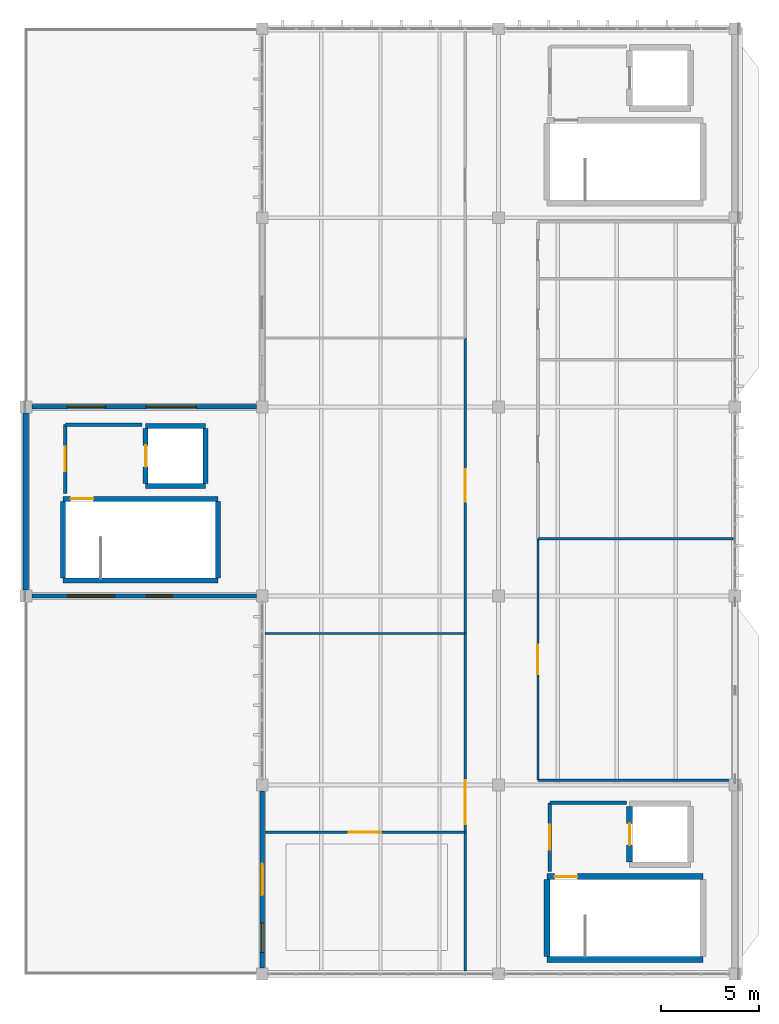
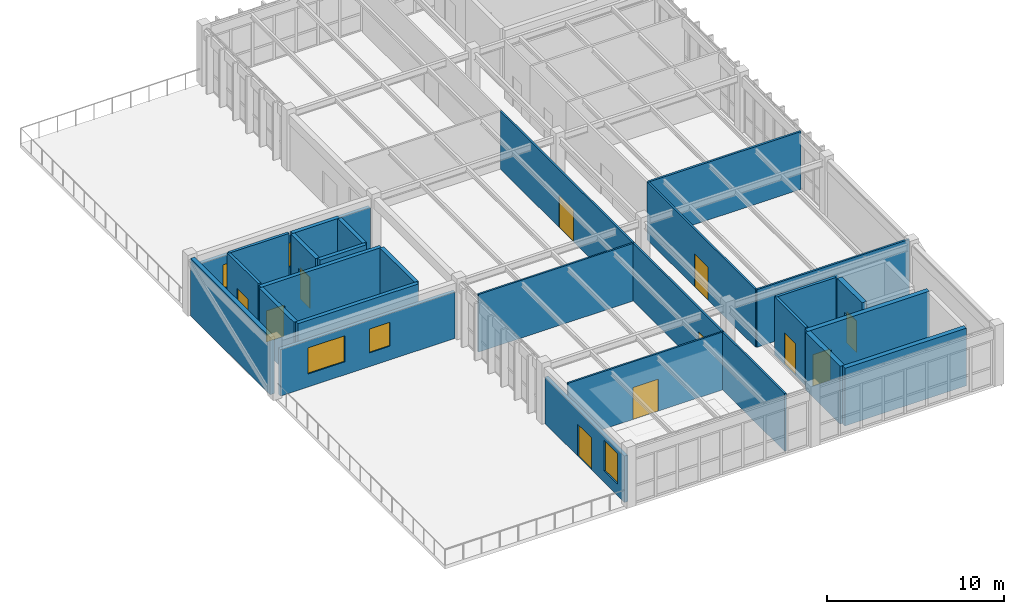
# One storey, part 26 of 28: 27 walls, 11 doors, 5 windows, 16 openings.
"""IFC4 building model written with IfcOpenShell, lengths in metres."""

from ifc_helpers import new_model, si_unit, direction, frame, frame_2d, origin, place, context, subcontext, project, spatial, rectangle, extrude, material, layer, layer_set, type_object, element, fill, save


model = new_model("IFC4")

# Units and contexts
model_context = context("Model", 3, precision=1e-05, world=origin(), true_north=direction((0.0, 1.0)))
body_context = subcontext(model_context, "Body", "Model", "MODEL_VIEW")
ifc_project = project(units=[si_unit("LENGTHUNIT", "METRE"), si_unit("AREAUNIT", "SQUARE_METRE"), si_unit("VOLUMEUNIT", "CUBIC_METRE"), si_unit("PLANEANGLEUNIT", "RADIAN"), si_unit("MASSUNIT", "GRAM", prefix="KILO")], contexts=[model_context])

# Site, building, storey
site_placement = place(None, origin())
site = spatial("IfcSite", under=ifc_project, at=site_placement, CompositionType="ELEMENT")
building_placement = place(site_placement, origin())
building = spatial("IfcBuilding", under=site, at=building_placement, Name="Pandanus Reach Market Hall", CompositionType="ELEMENT")
storey_placement = place(building_placement, frame((0.0, 0.0, 18.60009765625)))
storey = spatial("IfcBuildingStorey", under=building, at=storey_placement, Name="L04", CompositionType="ELEMENT", Elevation=18.60009765625)

# Wall
ifc_material_1 = material(Name="Concrete N40 (40 MPa)", Category="concrete")
ifc_layer_1 = layer(ifc_material_1, 0.25, Name="WL-CORE-250")
ifc_layer_set_1 = layer_set([ifc_layer_1], Name="Concrete N40 (40 MPa)")
wall_type_1 = type_object("IfcWallType", Name="WL-CORE-250", PredefinedType="SHEAR", material=ifc_layer_set_1)
wall_1_placement = place(storey_placement, frame((145.875, 48.77490234375, 0.0), z_axis=(0.0, 0.0, 1.0), x_axis=(1.0, 0.0, 0.0)))
element("IfcWall", 1, at=wall_1_placement, inside=storey, type_object=wall_type_1, Name="Internal wall WL-CORE-250 WL-0320", PredefinedType="SHEAR", context=body_context, shape_type="SweptSolid", body=[
    extrude(rectangle(XDim=7.8701171875, YDim=0.25, at=frame_2d((3.93505859375, 0.0))), origin(), (0.0, 0.0, 1.0), 3.97998046875),
])

# Wall, opening, door
wall_2_placement = place(storey_placement, frame((145.875, 52.925048828125, 0.0), z_axis=(0.0, 0.0, 1.0), x_axis=(1.0, 0.0, 0.0)))
wall_2 = element("IfcWall", 2, at=wall_2_placement, inside=storey, type_object=wall_type_1, Name="Internal wall WL-CORE-250 WL-0321", PredefinedType="SHEAR", context=body_context, shape_type="SweptSolid", body=[
    extrude(rectangle(XDim=7.8701171875, YDim=0.25, at=frame_2d((3.93505859375, 0.0))), origin(), (0.0, 0.0, 1.0), 3.97998046875),
])
opening_1_placement = place(wall_2_placement, frame((0.39990234375, 0.0, 0.0)))
opening_1 = element("IfcOpeningElement", 3, at=opening_1_placement, cuts=wall_2, Name="Opening DR-FD1", PredefinedType="OPENING", context=body_context, shape_type="SweptSolid", body=[
    extrude(rectangle(XDim=1.14990234375, YDim=2.14990234375, at=frame_2d((0.574951171875, 1.074951171875))), frame((0.0, 0.139892578125, 0.0), z_axis=(0.0, -1.0, 0.0), x_axis=(1.0, 0.0, 0.0)), (0.0, 0.0, 1.0), 0.280029296875),
])
ifc_material_2 = material(Name="Fire-rated steel door", Category="steel")
door_type_1 = type_object("IfcDoorType", Name="DR-FD1", OperationType="NOTDEFINED", PredefinedType="DOOR", material=ifc_material_2)
door_1_placement = place(opening_1_placement, frame((1.14990234375, 0.0, 0.0), z_axis=(0.0, 0.0, 1.0), x_axis=(-1.0, 0.0, 0.0)))
door_1 = element("IfcDoor", 4, at=door_1_placement, inside=storey, type_object=door_type_1, Name="Fire stair door ST-03 L04", OperationType="SINGLE_SWING_LEFT", OverallHeight=2.14990234375, OverallWidth=1.14990234375, PredefinedType="DOOR", context=body_context, shape_type="SweptSolid", body=[
    extrude(rectangle(XDim=1.14990234375, YDim=2.14990234375, at=frame_2d((0.574951171875, 1.074951171875))), frame((0.0, 0.02490234375, 0.0), z_axis=(0.0, -1.0, 0.0), x_axis=(1.0, 0.0, 0.0)), (0.0, 0.0, 1.0), 0.050048828125),
])
fill(opening_1, door_1)

# Walls
for number, where, z_axis, x_axis, name in (
    (5, (145.875, 48.89990234375, 0.0), (0.0, 0.0, 1.0), (0.0, 1.0, 0.0), "Internal wall WL-CORE-250 WL-0322"),
    (6, (153.7451171875, 48.89990234375, 0.0), (0.0, 0.0, 1.0), (0.0, 1.0, 0.0), "Internal wall WL-CORE-250 WL-0323"),
):
    element("IfcWall", number, at=place(storey_placement, frame(where, z_axis=z_axis, x_axis=x_axis)), inside=storey, type_object=wall_type_1, Name=name, PredefinedType="SHEAR", context=body_context, shape_type="SweptSolid", body=[
        extrude(rectangle(XDim=3.900146484375, YDim=0.25, at=frame_2d((1.9501953125, 0.0))), origin(), (0.0, 0.0, 1.0), 3.97998046875),
    ])
for number, where, z_axis, x_axis, name in (
    (7, (150.074951171875, 53.574951171875, 0.0), (0.0, 0.0, 1.0), (1.0, 0.0, 0.0), "Internal wall WL-CORE-250 WL-0324"),
    (8, (150.074951171875, 56.625, 0.0), (0.0, 0.0, 1.0), (1.0, 0.0, 0.0), "Internal wall WL-CORE-250 WL-0325"),
):
    element("IfcWall", number, at=place(storey_placement, frame(where, z_axis=z_axis, x_axis=x_axis)), inside=storey, type_object=wall_type_1, Name=name, PredefinedType="SHEAR", context=body_context, shape_type="SweptSolid", body=[
        extrude(rectangle(XDim=3.050048828125, YDim=0.25, at=frame_2d((1.52490234375, 0.0))), origin(), (0.0, 0.0, 1.0), 3.97998046875),
    ])
wall_3_placement = place(storey_placement, frame((153.125, 53.699951171875, 0.0), z_axis=(0.0, 0.0, 1.0), x_axis=(0.0, 1.0, 0.0)))
element("IfcWall", 9, at=wall_3_placement, inside=storey, type_object=wall_type_1, Name="Internal wall WL-CORE-250 WL-0326", PredefinedType="SHEAR", context=body_context, shape_type="SweptSolid", body=[
    extrude(rectangle(XDim=2.800048828125, YDim=0.25, at=frame_2d((1.39990234375, 0.0))), origin(), (0.0, 0.0, 1.0), 3.97998046875),
])

# Wall, opening, door
wall_4_placement = place(storey_placement, frame((150.074951171875, 53.699951171875, 0.0), z_axis=(0.0, 0.0, 1.0), x_axis=(0.0, 1.0, 0.0)))
wall_4 = element("IfcWall", 10, at=wall_4_placement, inside=storey, type_object=wall_type_1, Name="Internal wall WL-CORE-250 WL-0327", PredefinedType="SHEAR", context=body_context, shape_type="SweptSolid", body=[
    extrude(rectangle(XDim=2.800048828125, YDim=0.25, at=frame_2d((1.39990234375, 0.0))), origin(), (0.0, 0.0, 1.0), 3.97998046875),
])
opening_2_placement = place(wall_4_placement, frame((0.85009765625, 0.0, 0.0)))
opening_2 = element("IfcOpeningElement", 11, at=opening_2_placement, cuts=wall_4, Name="Opening LD-01", PredefinedType="OPENING", context=body_context, shape_type="SweptSolid", body=[
    extrude(rectangle(XDim=1.10009765625, YDim=2.14990234375, at=frame_2d((0.550048828125, 1.074951171875))), frame((0.0, 0.139892578125, 0.0), z_axis=(0.0, -1.0, 0.0), x_axis=(1.0, 0.0, 0.0)), (0.0, 0.0, 1.0), 0.280029296875),
])
ifc_material_3 = material(Name="Stainless steel lift landing door", Category="steel")
door_type_2 = type_object("IfcDoorType", Name="LD-01", OperationType="SLIDING_TO_LEFT", PredefinedType="DOOR", material=ifc_material_3)
door_2_placement = place(opening_2_placement, origin())
door_2 = element("IfcDoor", 12, at=door_2_placement, inside=storey, type_object=door_type_2, Name="Lift landing door LF-03 LD-01 54", OperationType="SLIDING_TO_LEFT", OverallHeight=2.14990234375, OverallWidth=1.10009765625, PredefinedType="DOOR", context=body_context, shape_type="SweptSolid", body=[
    extrude(rectangle(XDim=1.10009765625, YDim=2.14990234375, at=frame_2d((0.550048828125, 1.074951171875))), frame((0.0, 0.02490234375, 0.0), z_axis=(0.0, -1.0, 0.0), x_axis=(1.0, 0.0, 0.0)), (0.0, 0.0, 1.0), 0.050048828125),
])
fill(opening_2, door_2)

# Wall
ifc_layer_2 = layer(ifc_material_1, 0.300048828125, Name="WL-CORE-300")
ifc_layer_set_2 = layer_set([ifc_layer_2], Name="Concrete N40 (40 MPa)")
wall_type_2 = type_object("IfcWallType", Name="WL-CORE-300", PredefinedType="SHEAR", material=ifc_layer_set_2)
wall_5_placement = place(storey_placement, frame((170.449951171875, 29.550048828125, 0.0), z_axis=(0.0, 0.0, 1.0), x_axis=(1.0, 0.0, 0.0)))
element("IfcWall", 13, at=wall_5_placement, inside=storey, type_object=wall_type_2, Name="Internal wall WL-CORE-300 WL-0200", PredefinedType="SHEAR", context=body_context, shape_type="SweptSolid", body=[
    extrude(rectangle(XDim=7.920166015625, YDim=0.300048828125, at=frame_2d((3.9599609375, 0.0))), origin(), (0.0, 0.0, 1.0), 3.97998046875),
])

# Wall, opening, door
wall_6_placement = place(storey_placement, frame((170.449951171875, 33.75, 0.0), z_axis=(0.0, 0.0, 1.0), x_axis=(1.0, 0.0, 0.0)))
wall_6 = element("IfcWall", 14, at=wall_6_placement, inside=storey, type_object=wall_type_2, Name="Internal wall WL-CORE-300 WL-0201", PredefinedType="SHEAR", context=body_context, shape_type="SweptSolid", body=[
    extrude(rectangle(XDim=7.920166015625, YDim=0.300048828125, at=frame_2d((3.9599609375, 0.0))), origin(), (0.0, 0.0, 1.0), 3.97998046875),
])
opening_3_placement = place(wall_6_placement, frame((0.39990234375, 0.0, 0.0)))
opening_3 = element("IfcOpeningElement", 15, at=opening_3_placement, cuts=wall_6, Name="Opening DR-FD1", PredefinedType="OPENING", context=body_context, shape_type="SweptSolid", body=[
    extrude(rectangle(XDim=1.14990234375, YDim=2.14990234375, at=frame_2d((0.574951171875, 1.074951171875))), frame((0.0, 0.1650390625, 0.0), z_axis=(0.0, -1.0, 0.0), x_axis=(1.0, 0.0, 0.0)), (0.0, 0.0, 1.0), 0.330078125),
])
door_3_placement = place(opening_3_placement, frame((1.14990234375, 0.0, 0.0), z_axis=(0.0, 0.0, 1.0), x_axis=(-1.0, 0.0, 0.0)))
door_3 = element("IfcDoor", 16, at=door_3_placement, inside=storey, type_object=door_type_1, Name="Fire stair door ST-01 L04", OperationType="SINGLE_SWING_LEFT", OverallHeight=2.14990234375, OverallWidth=1.14990234375, PredefinedType="DOOR", context=body_context, shape_type="SweptSolid", body=[
    extrude(rectangle(XDim=1.14990234375, YDim=2.14990234375, at=frame_2d((0.574951171875, 1.074951171875))), frame((0.0, 0.02490234375, 0.0), z_axis=(0.0, -1.0, 0.0), x_axis=(1.0, 0.0, 0.0)), (0.0, 0.0, 1.0), 0.050048828125),
])
fill(opening_3, door_3)

# Wall
wall_7_placement = place(storey_placement, frame((170.449951171875, 29.699951171875, 0.0), z_axis=(0.0, 0.0, 1.0), x_axis=(0.0, 1.0, 0.0)))
element("IfcWall", 17, at=wall_7_placement, inside=storey, type_object=wall_type_2, Name="Internal wall WL-CORE-300 WL-0202", PredefinedType="SHEAR", context=body_context, shape_type="SweptSolid", body=[
    extrude(rectangle(XDim=3.900146484375, YDim=0.300048828125, at=frame_2d((1.9501953125, 0.0))), origin(), (0.0, 0.0, 1.0), 3.97998046875),
])

# Wall, opening, door
wall_8_placement = place(storey_placement, frame((174.64990234375, 34.5, 0.0), z_axis=(0.0, 0.0, 1.0), x_axis=(0.0, 1.0, 0.0)))
wall_8 = element("IfcWall", 18, at=wall_8_placement, inside=storey, type_object=wall_type_2, Name="Internal wall WL-CORE-300 WL-0207", PredefinedType="SHEAR", context=body_context, shape_type="SweptSolid", body=[
    extrude(rectangle(XDim=2.800048828125, YDim=0.300048828125, at=frame_2d((1.39990234375, 0.0))), origin(), (0.0, 0.0, 1.0), 3.97998046875),
])
opening_4_placement = place(wall_8_placement, frame((0.85009765625, 0.0, 0.0)))
opening_4 = element("IfcOpeningElement", 19, at=opening_4_placement, cuts=wall_8, Name="Opening LD-01", PredefinedType="OPENING", context=body_context, shape_type="SweptSolid", body=[
    extrude(rectangle(XDim=1.10009765625, YDim=2.14990234375, at=frame_2d((0.550048828125, 1.074951171875))), frame((0.0, 0.1650390625, 0.0), z_axis=(0.0, -1.0, 0.0), x_axis=(1.0, 0.0, 0.0)), (0.0, 0.0, 1.0), 0.330078125),
])
door_4_placement = place(opening_4_placement, origin())
door_4 = element("IfcDoor", 20, at=door_4_placement, inside=storey, type_object=door_type_2, Name="Lift landing door LF-01 LD-01 18", OperationType="SLIDING_TO_LEFT", OverallHeight=2.14990234375, OverallWidth=1.10009765625, PredefinedType="DOOR", context=body_context, shape_type="SweptSolid", body=[
    extrude(rectangle(XDim=1.10009765625, YDim=2.14990234375, at=frame_2d((0.550048828125, 1.074951171875))), frame((0.0, 0.02490234375, 0.0), z_axis=(0.0, -1.0, 0.0), x_axis=(1.0, 0.0, 0.0)), (0.0, 0.0, 1.0), 0.050048828125),
])
fill(opening_4, door_4)

# Wall, openings, door, window
ifc_material_4 = material(Name="Precast concrete S50 (50 MPa)", Category="concrete")
ifc_layer_3 = layer(ifc_material_4, 0.219970703125, Name="WL-EXT-220")
ifc_layer_set_3 = layer_set([ifc_layer_3], Name="Precast concrete S50 (50 MPa)")
wall_type_3 = type_object("IfcWallType", Name="WL-EXT-220", PredefinedType="SOLIDWALL", material=ifc_layer_set_3)
wall_9_placement = place(storey_placement, frame((156.0, 29.10009765625, 0.0), z_axis=(0.0, 0.0, 1.0), x_axis=(0.0, 1.0, 0.0)))
wall_9 = element("IfcWall", 21, at=wall_9_placement, inside=storey, type_object=wall_type_3, Name="External wall WL-EXT-220 WL-0112", PredefinedType="SOLIDWALL", context=body_context, shape_type="SweptSolid", body=[
    extrude(rectangle(XDim=9.0, YDim=0.219970703125, at=frame_2d((4.5, 0.0))), origin(), (0.0, 0.0, 1.0), 3.205810546875),
])
opening_5_placement = place(wall_9_placement, frame((3.699951171875, 0.0, 0.0)))
opening_5 = element("IfcOpeningElement", 22, at=opening_5_placement, cuts=wall_9, Name="Opening TD-160", PredefinedType="OPENING", context=body_context, shape_type="SweptSolid", body=[
    extrude(rectangle(XDim=1.60009765625, YDim=2.199951171875, at=frame_2d((0.800048828125, 1.10009765625))), frame((0.0, 0.125, 0.0), z_axis=(0.0, -1.0, 0.0), x_axis=(1.0, 0.0, 0.0)), (0.0, 0.0, 1.0), 0.25),
])
opening_6_placement = place(wall_9_placement, frame((0.800048828125, 0.0, 0.800048828125)))
opening_6 = element("IfcOpeningElement", 23, at=opening_6_placement, cuts=wall_9, Name="Opening WN-10", PredefinedType="OPENING", context=body_context, shape_type="SweptSolid", body=[
    extrude(rectangle(XDim=1.5, YDim=2.10009765625, at=frame_2d((0.75, 1.050048828125))), frame((0.0, 0.125, 0.0), z_axis=(0.0, -1.0, 0.0), x_axis=(1.0, 0.0, 0.0)), (0.0, 0.0, 1.0), 0.25),
])
ifc_material_5 = material(Name="Bronze anodised aluminium", Category="aluminium")
door_type_3 = type_object("IfcDoorType", Name="TD-160", OperationType="DOUBLE_DOOR_SINGLE_SWING", PredefinedType="DOOR", material=ifc_material_5)
door_5_placement = place(opening_5_placement, origin())
door_5 = element("IfcDoor", 24, at=door_5_placement, inside=storey, type_object=door_type_3, Name="Kitchen garden terrace door L04 TD-160 37", OperationType="DOUBLE_DOOR_SINGLE_SWING", OverallHeight=2.199951171875, OverallWidth=1.60009765625, PredefinedType="DOOR", context=body_context, shape_type="SweptSolid", body=[
    extrude(rectangle(XDim=1.60009765625, YDim=2.199951171875, at=frame_2d((0.800048828125, 1.10009765625))), frame((0.0, 0.02490234375, 0.0), z_axis=(0.0, -1.0, 0.0), x_axis=(1.0, 0.0, 0.0)), (0.0, 0.0, 1.0), 0.050048828125),
])
fill(opening_5, door_5)
ifc_material_6 = material(Name="Solar-control double glazing", Category="glass")
window_type_1 = type_object("IfcWindowType", Name="WN-10", PartitioningType="SINGLE_PANEL", PredefinedType="WINDOW", material=ifc_material_6)
window_1_placement = place(opening_6_placement, origin())
window_1 = element("IfcWindow", 25, at=window_1_placement, inside=storey, type_object=window_type_1, Name="Window WN-10 52", OverallHeight=2.10009765625, OverallWidth=1.5, PartitioningType="SINGLE_PANEL", PredefinedType="WINDOW", context=body_context, shape_type="SweptSolid", body=[
    extrude(rectangle(XDim=1.5, YDim=2.10009765625, at=frame_2d((0.75, 1.050048828125))), frame((0.0, 0.030029296875, 0.0), z_axis=(0.0, -1.0, 0.0), x_axis=(1.0, 0.0, 0.0)), (0.0, 0.0, 1.0), 0.06005859375),
])
fill(opening_6, window_1)

# Wall, openings, windows
wall_10_placement = place(storey_placement, frame((144.300048828125, 48.0, 0.0), z_axis=(0.0, 0.0, 1.0), x_axis=(1.0, 0.0, 0.0)))
wall_10 = element("IfcWall", 26, at=wall_10_placement, inside=storey, type_object=wall_type_3, Name="External wall WL-EXT-220 WL-0114", PredefinedType="SOLIDWALL", context=body_context, shape_type="SweptSolid", body=[
    extrude(rectangle(XDim=11.39990234375, YDim=0.219970703125, at=frame_2d((5.699951171875, 0.0))), origin(), (0.0, 0.0, 1.0), 3.205810546875),
])
opening_7_placement = place(wall_10_placement, frame((1.800048828125, 0.0, 0.89990234375)))
opening_7 = element("IfcOpeningElement", 27, at=opening_7_placement, cuts=wall_10, Name="Opening WN-05", PredefinedType="OPENING", context=body_context, shape_type="SweptSolid", body=[
    extrude(rectangle(XDim=2.39990234375, YDim=1.800048828125, at=frame_2d((1.199951171875, 0.89990234375))), frame((0.0, 0.125, 0.0), z_axis=(0.0, -1.0, 0.0), x_axis=(1.0, 0.0, 0.0)), (0.0, 0.0, 1.0), 0.25),
])
opening_8_placement = place(wall_10_placement, frame((5.800048828125, 0.0, 0.949951171875)))
opening_8 = element("IfcOpeningElement", 28, at=opening_8_placement, cuts=wall_10, Name="Opening WN-29", PredefinedType="OPENING", context=body_context, shape_type="SweptSolid", body=[
    extrude(rectangle(XDim=1.35009765625, YDim=1.64990234375, at=frame_2d((0.675048828125, 0.824951171875))), frame((0.0, 0.125, 0.0), z_axis=(0.0, -1.0, 0.0), x_axis=(1.0, 0.0, 0.0)), (0.0, 0.0, 1.0), 0.25),
])
window_type_2 = type_object("IfcWindowType", Name="WN-05", PartitioningType="SINGLE_PANEL", PredefinedType="WINDOW", material=ifc_material_6)
window_2_placement = place(opening_7_placement, origin())
window_2 = element("IfcWindow", 29, at=window_2_placement, inside=storey, type_object=window_type_2, Name="Window WN-05 54", OverallHeight=1.800048828125, OverallWidth=2.39990234375, PartitioningType="SINGLE_PANEL", PredefinedType="WINDOW", context=body_context, shape_type="SweptSolid", body=[
    extrude(rectangle(XDim=2.39990234375, YDim=1.800048828125, at=frame_2d((1.199951171875, 0.89990234375))), frame((0.0, 0.030029296875, 0.0), z_axis=(0.0, -1.0, 0.0), x_axis=(1.0, 0.0, 0.0)), (0.0, 0.0, 1.0), 0.06005859375),
])
fill(opening_7, window_2)
window_type_3 = type_object("IfcWindowType", Name="WN-29", PartitioningType="SINGLE_PANEL", PredefinedType="WINDOW", material=ifc_material_6)
window_3_placement = place(opening_8_placement, origin())
window_3 = element("IfcWindow", 30, at=window_3_placement, inside=storey, type_object=window_type_3, Name="Window WN-29 55", OverallHeight=1.64990234375, OverallWidth=1.35009765625, PartitioningType="SINGLE_PANEL", PredefinedType="WINDOW", context=body_context, shape_type="SweptSolid", body=[
    extrude(rectangle(XDim=1.35009765625, YDim=1.64990234375, at=frame_2d((0.675048828125, 0.824951171875))), frame((0.0, 0.030029296875, 0.0), z_axis=(0.0, -1.0, 0.0), x_axis=(1.0, 0.0, 0.0)), (0.0, 0.0, 1.0), 0.06005859375),
])
fill(opening_8, window_3)

wall_11_placement = place(storey_placement, frame((144.300048828125, 57.60009765625, 0.0), z_axis=(0.0, 0.0, 1.0), x_axis=(1.0, 0.0, 0.0)))
wall_11 = element("IfcWall", 31, at=wall_11_placement, inside=storey, type_object=wall_type_3, Name="External wall WL-EXT-220 WL-0115", PredefinedType="SOLIDWALL", context=body_context, shape_type="SweptSolid", body=[
    extrude(rectangle(XDim=11.39990234375, YDim=0.219970703125, at=frame_2d((5.699951171875, 0.0))), origin(), (0.0, 0.0, 1.0), 3.205810546875),
])
opening_9_placement = place(wall_11_placement, frame((1.800048828125, 0.0, 0.949951171875)))
opening_9 = element("IfcOpeningElement", 32, at=opening_9_placement, cuts=wall_11, Name="Opening WN-30", PredefinedType="OPENING", context=body_context, shape_type="SweptSolid", body=[
    extrude(rectangle(XDim=1.949951171875, YDim=1.64990234375, at=frame_2d((0.97509765625, 0.824951171875))), frame((0.0, 0.125, 0.0), z_axis=(0.0, -1.0, 0.0), x_axis=(1.0, 0.0, 0.0)), (0.0, 0.0, 1.0), 0.25),
])
opening_10_placement = place(wall_11_placement, frame((5.800048828125, 0.0, 0.949951171875)))
opening_10 = element("IfcOpeningElement", 33, at=opening_10_placement, cuts=wall_11, Name="Opening WN-31", PredefinedType="OPENING", context=body_context, shape_type="SweptSolid", body=[
    extrude(rectangle(XDim=2.550048828125, YDim=1.64990234375, at=frame_2d((1.27490234375, 0.824951171875))), frame((0.0, 0.125, 0.0), z_axis=(0.0, -1.0, 0.0), x_axis=(1.0, 0.0, 0.0)), (0.0, 0.0, 1.0), 0.25),
])
window_type_4 = type_object("IfcWindowType", Name="WN-30", PartitioningType="SINGLE_PANEL", PredefinedType="WINDOW", material=ifc_material_6)
window_4_placement = place(opening_9_placement, origin())
window_4 = element("IfcWindow", 34, at=window_4_placement, inside=storey, type_object=window_type_4, Name="Window WN-30 56", OverallHeight=1.64990234375, OverallWidth=1.949951171875, PartitioningType="SINGLE_PANEL", PredefinedType="WINDOW", context=body_context, shape_type="SweptSolid", body=[
    extrude(rectangle(XDim=1.949951171875, YDim=1.64990234375, at=frame_2d((0.97509765625, 0.824951171875))), frame((0.0, 0.030029296875, 0.0), z_axis=(0.0, -1.0, 0.0), x_axis=(1.0, 0.0, 0.0)), (0.0, 0.0, 1.0), 0.06005859375),
])
fill(opening_9, window_4)
window_type_5 = type_object("IfcWindowType", Name="WN-31", PartitioningType="SINGLE_PANEL", PredefinedType="WINDOW", material=ifc_material_6)
window_5_placement = place(opening_10_placement, origin())
window_5 = element("IfcWindow", 35, at=window_5_placement, inside=storey, type_object=window_type_5, Name="Window WN-31 57", OverallHeight=1.64990234375, OverallWidth=2.550048828125, PartitioningType="SINGLE_PANEL", PredefinedType="WINDOW", context=body_context, shape_type="SweptSolid", body=[
    extrude(rectangle(XDim=2.550048828125, YDim=1.64990234375, at=frame_2d((1.27490234375, 0.824951171875))), frame((0.0, 0.030029296875, 0.0), z_axis=(0.0, -1.0, 0.0), x_axis=(1.0, 0.0, 0.0)), (0.0, 0.0, 1.0), 0.06005859375),
])
fill(opening_10, window_5)

# Wall
ifc_layer_4 = layer(ifc_material_4, 0.280029296875, Name="WL-EXT-280")
ifc_layer_set_4 = layer_set([ifc_layer_4], Name="Precast concrete S50 (50 MPa)")
wall_type_4 = type_object("IfcWallType", Name="WL-EXT-280", PredefinedType="SOLIDWALL", material=ifc_layer_set_4)
wall_12_placement = place(storey_placement, frame((144.0, 48.300048828125, 0.0), z_axis=(0.0, 0.0, 1.0), x_axis=(0.0, 1.0, 0.0)))
element("IfcWall", 36, at=wall_12_placement, inside=storey, type_object=wall_type_4, Name="External wall WL-EXT-280 WL-0116", PredefinedType="SOLIDWALL", context=body_context, shape_type="SweptSolid", body=[
    extrude(rectangle(XDim=9.0, YDim=0.280029296875, at=frame_2d((4.5, 0.0))), origin(), (0.0, 0.0, 1.0), 3.949951171875),
])

# Wall, opening, door
ifc_layer_5 = layer(ifc_material_1, 0.175048828125, Name="WL-LOB-175")
ifc_layer_set_5 = layer_set([ifc_layer_5], Name="Concrete N40 (40 MPa)")
wall_type_5 = type_object("IfcWallType", Name="WL-LOB-175", PredefinedType="PARTITIONING", material=ifc_layer_set_5)
wall_13_placement = place(storey_placement, frame((170.60009765625, 34.0, 0.0), z_axis=(0.0, 0.0, 1.0), x_axis=(0.0, 1.0, 0.0)))
wall_13 = element("IfcWall", 37, at=wall_13_placement, inside=storey, type_object=wall_type_5, Name="Internal wall WL-LOB-175 WL-0208", PredefinedType="PARTITIONING", context=body_context, shape_type="SweptSolid", body=[
    extrude(rectangle(XDim=3.5, YDim=0.175048828125, at=frame_2d((1.75, 0.0))), origin(), (0.0, 0.0, 1.0), 3.97998046875),
])
opening_11_placement = place(wall_13_placement, frame((1.125, 0.0, 0.0)))
opening_11 = element("IfcOpeningElement", 38, at=opening_11_placement, cuts=wall_13, Name="Opening DR-FD2", PredefinedType="OPENING", context=body_context, shape_type="SweptSolid", body=[
    extrude(rectangle(XDim=1.25, YDim=2.199951171875, at=frame_2d((0.625, 1.10009765625))), frame((0.0, 0.1025390625, 0.0), z_axis=(0.0, -1.0, 0.0), x_axis=(1.0, 0.0, 0.0)), (0.0, 0.0, 1.0), 0.205078125),
])
door_type_4 = type_object("IfcDoorType", Name="DR-FD2", OperationType="NOTDEFINED", PredefinedType="DOOR", material=ifc_material_2)
door_6_placement = place(opening_11_placement, frame((1.25, 0.0, 0.0), z_axis=(0.0, 0.0, 1.0), x_axis=(-1.0, 0.0, 0.0)))
door_6 = element("IfcDoor", 39, at=door_6_placement, inside=storey, type_object=door_type_4, Name="Core C1 lobby fire door DR-FD2 19", OperationType="SINGLE_SWING_RIGHT", OverallHeight=2.199951171875, OverallWidth=1.25, PredefinedType="DOOR", context=body_context, shape_type="SweptSolid", body=[
    extrude(rectangle(XDim=1.25, YDim=2.199951171875, at=frame_2d((0.625, 1.10009765625))), frame((0.0, 0.02490234375, 0.0), z_axis=(0.0, -1.0, 0.0), x_axis=(1.0, 0.0, 0.0)), (0.0, 0.0, 1.0), 0.050048828125),
])
fill(opening_11, door_6)

# Wall
wall_14_placement = place(storey_placement, frame((170.60009765625, 37.5, 0.0), z_axis=(0.0, 0.0, 1.0), x_axis=(1.0, 0.0, 0.0)))
element("IfcWall", 40, at=wall_14_placement, inside=storey, type_object=wall_type_5, Name="Internal wall WL-LOB-175 WL-0209", PredefinedType="PARTITIONING", context=body_context, shape_type="SweptSolid", body=[
    extrude(rectangle(XDim=3.89990234375, YDim=0.175048828125, at=frame_2d((1.949951171875, 0.0))), origin(), (0.0, 0.0, 1.0), 3.97998046875),
])

# Wall, opening, door
wall_15_placement = place(storey_placement, frame((146.0, 53.199951171875, 0.0), z_axis=(0.0, 0.0, 1.0), x_axis=(0.0, 1.0, 0.0)))
wall_15 = element("IfcWall", 41, at=wall_15_placement, inside=storey, type_object=wall_type_5, Name="Internal wall WL-LOB-175 WL-0328", PredefinedType="PARTITIONING", context=body_context, shape_type="SweptSolid", body=[
    extrude(rectangle(XDim=3.5, YDim=0.175048828125, at=frame_2d((1.75, 0.0))), origin(), (0.0, 0.0, 1.0), 3.97998046875),
])
opening_12_placement = place(wall_15_placement, frame((1.125, 0.0, 0.0)))
opening_12 = element("IfcOpeningElement", 42, at=opening_12_placement, cuts=wall_15, Name="Opening DR-FD2", PredefinedType="OPENING", context=body_context, shape_type="SweptSolid", body=[
    extrude(rectangle(XDim=1.25, YDim=2.199951171875, at=frame_2d((0.625, 1.10009765625))), frame((0.0, 0.1025390625, 0.0), z_axis=(0.0, -1.0, 0.0), x_axis=(1.0, 0.0, 0.0)), (0.0, 0.0, 1.0), 0.205078125),
])
door_7_placement = place(opening_12_placement, frame((1.25, 0.0, 0.0), z_axis=(0.0, 0.0, 1.0), x_axis=(-1.0, 0.0, 0.0)))
door_7 = element("IfcDoor", 43, at=door_7_placement, inside=storey, type_object=door_type_4, Name="Core C3 lobby fire door DR-FD2 55", OperationType="SINGLE_SWING_RIGHT", OverallHeight=2.199951171875, OverallWidth=1.25, PredefinedType="DOOR", context=body_context, shape_type="SweptSolid", body=[
    extrude(rectangle(XDim=1.25, YDim=2.199951171875, at=frame_2d((0.625, 1.10009765625))), frame((0.0, 0.02490234375, 0.0), z_axis=(0.0, -1.0, 0.0), x_axis=(1.0, 0.0, 0.0)), (0.0, 0.0, 1.0), 0.050048828125),
])
fill(opening_12, door_7)

# Walls
wall_16_placement = place(storey_placement, frame((146.0, 56.699951171875, 0.0), z_axis=(0.0, 0.0, 1.0), x_axis=(1.0, 0.0, 0.0)))
element("IfcWall", 44, at=wall_16_placement, inside=storey, type_object=wall_type_5, Name="Internal wall WL-LOB-175 WL-0329", PredefinedType="PARTITIONING", context=body_context, shape_type="SweptSolid", body=[
    extrude(rectangle(XDim=3.89990234375, YDim=0.175048828125, at=frame_2d((1.949951171875, 0.0))), origin(), (0.0, 0.0, 1.0), 3.97998046875),
])
ifc_material_7 = material(Name="Acoustic operable timber-clad partition", Category="wood")
ifc_layer_6 = layer(ifc_material_7, 0.110107421875, Name="WL-MOV-110")
ifc_layer_set_6 = layer_set([ifc_layer_6], Name="Acoustic operable timber-clad partition")
wall_type_6 = type_object("IfcWallType", Name="WL-MOV-110", PredefinedType="MOVABLE", material=ifc_layer_set_6)
wall_17_placement = place(storey_placement, frame((156.14990234375, 46.10009765625, 0.0), z_axis=(0.0, 0.0, 1.0), x_axis=(1.0, 0.0, 0.0)))
element("IfcWall", 45, at=wall_17_placement, inside=storey, type_object=wall_type_6, Name="Internal wall WL-MOV-110 WL-0584", PredefinedType="MOVABLE", context=body_context, shape_type="SweptSolid", body=[
    extrude(rectangle(XDim=10.150146484375, YDim=0.110107421875, at=frame_2d((5.0751953125, 0.0))), origin(), (0.0, 0.0, 1.0), 3.97998046875),
])

# Wall, opening, door
wall_18_placement = place(storey_placement, frame((156.14990234375, 36.0, 0.0), z_axis=(0.0, 0.0, 1.0), x_axis=(1.0, 0.0, 0.0)))
wall_18 = element("IfcWall", 46, at=wall_18_placement, inside=storey, type_object=wall_type_6, Name="Internal wall WL-MOV-110 WL-0586", PredefinedType="MOVABLE", context=body_context, shape_type="SweptSolid", body=[
    extrude(rectangle(XDim=10.150146484375, YDim=0.110107421875, at=frame_2d((5.0751953125, 0.0))), origin(), (0.0, 0.0, 1.0), 3.97998046875),
])
opening_13_placement = place(wall_18_placement, frame((4.25, 0.0, 0.0)))
opening_13 = element("IfcOpeningElement", 47, at=opening_13_placement, cuts=wall_18, Name="Opening DR-I16", PredefinedType="OPENING", context=body_context, shape_type="SweptSolid", body=[
    extrude(rectangle(XDim=1.64990234375, YDim=2.199951171875, at=frame_2d((0.824951171875, 1.10009765625))), frame((0.0, 0.070068359375, 0.0), z_axis=(0.0, -1.0, 0.0), x_axis=(1.0, 0.0, 0.0)), (0.0, 0.0, 1.0), 0.14013671875),
])
ifc_material_8 = material(Name="Double glazed culinary studio door")
door_type_5 = type_object("IfcDoorType", Name="DR-I16", OperationType="DOUBLE_DOOR_SINGLE_SWING", PredefinedType="DOOR", material=ifc_material_8)
door_8_placement = place(opening_13_placement, origin())
door_8 = element("IfcDoor", 48, at=door_8_placement, inside=storey, type_object=door_type_5, Name="Private tasting suite operable wall DR-I16 176", OperationType="DOUBLE_DOOR_SINGLE_SWING", OverallHeight=2.199951171875, OverallWidth=1.64990234375, PredefinedType="DOOR", context=body_context, shape_type="SweptSolid", body=[
    extrude(rectangle(XDim=1.64990234375, YDim=2.199951171875, at=frame_2d((0.824951171875, 1.10009765625))), frame((0.0, 0.02490234375, 0.0), z_axis=(0.0, -1.0, 0.0), x_axis=(1.0, 0.0, 0.0)), (0.0, 0.0, 1.0), 0.050048828125),
])
fill(opening_13, door_8)

ifc_material_9 = material(Name="Lightweight plasterboard stud partition", Category="gypsum")
ifc_layer_7 = layer(ifc_material_9, 0.1201171875, Name="WL-PRT-120")
ifc_layer_set_7 = layer_set([ifc_layer_7], Name="Lightweight plasterboard stud partition")
wall_type_7 = type_object("IfcWallType", Name="WL-PRT-120", PredefinedType="PARTITIONING", material=ifc_layer_set_7)
wall_19_placement = place(storey_placement, frame((166.300048828125, 28.949951171875, 0.0), z_axis=(0.0, 0.0, 1.0), x_axis=(0.0, 1.0, 0.0)))
wall_19 = element("IfcWall", 49, at=wall_19_placement, inside=storey, type_object=wall_type_7, Name="Internal wall WL-PRT-120 WL-0581", PredefinedType="PARTITIONING", context=body_context, shape_type="SweptSolid", body=[
    extrude(rectangle(XDim=17.150146484375, YDim=0.1201171875, at=frame_2d((8.5751953125, 0.0))), origin(), (0.0, 0.0, 1.0), 3.97998046875),
])
opening_14_placement = place(wall_19_placement, frame((7.449951171875, 0.0, 0.0)))
opening_14 = element("IfcOpeningElement", 50, at=opening_14_placement, cuts=wall_19, Name="Opening DR-I22", PredefinedType="OPENING", context=body_context, shape_type="SweptSolid", body=[
    extrude(rectangle(XDim=2.25, YDim=2.35009765625, at=frame_2d((1.125, 1.175048828125))), frame((0.0, 0.074951171875, 0.0), z_axis=(0.0, -1.0, 0.0), x_axis=(1.0, 0.0, 0.0)), (0.0, 0.0, 1.0), 0.150146484375),
])
ifc_material_10 = material(Name="Tasting hall grand glazed double door")
door_type_6 = type_object("IfcDoorType", Name="DR-I22", OperationType="DOUBLE_DOOR_SINGLE_SWING", PredefinedType="DOOR", material=ifc_material_10)
door_9_placement = place(opening_14_placement, origin())
door_9 = element("IfcDoor", 51, at=door_9_placement, inside=storey, type_object=door_type_6, Name="Paddock-to-plate tasting hall door DR-I22 173", OperationType="DOUBLE_DOOR_SINGLE_SWING", OverallHeight=2.35009765625, OverallWidth=2.25, PredefinedType="DOOR", context=body_context, shape_type="SweptSolid", body=[
    extrude(rectangle(XDim=2.25, YDim=2.35009765625, at=frame_2d((1.125, 1.175048828125))), frame((0.0, 0.02490234375, 0.0), z_axis=(0.0, -1.0, 0.0), x_axis=(1.0, 0.0, 0.0)), (0.0, 0.0, 1.0), 0.050048828125),
])
fill(opening_14, door_9)

wall_20_placement = place(storey_placement, frame((166.300048828125, 46.10009765625, 0.0), z_axis=(0.0, 0.0, 1.0), x_axis=(0.0, 1.0, 0.0)))
wall_20 = element("IfcWall", 52, at=wall_20_placement, inside=storey, type_object=wall_type_7, Name="Internal wall WL-PRT-120 WL-0582", PredefinedType="PARTITIONING", context=body_context, shape_type="SweptSolid", body=[
    extrude(rectangle(XDim=15.0, YDim=0.1201171875, at=frame_2d((7.5, 0.0))), origin(), (0.0, 0.0, 1.0), 3.97998046875),
])
opening_15_placement = place(wall_20_placement, frame((6.675048828125, 0.0, 0.0)))
opening_15 = element("IfcOpeningElement", 53, at=opening_15_placement, cuts=wall_20, Name="Opening DR-I16", PredefinedType="OPENING", context=body_context, shape_type="SweptSolid", body=[
    extrude(rectangle(XDim=1.64990234375, YDim=2.199951171875, at=frame_2d((0.824951171875, 1.10009765625))), frame((0.0, 0.074951171875, 0.0), z_axis=(0.0, -1.0, 0.0), x_axis=(1.0, 0.0, 0.0)), (0.0, 0.0, 1.0), 0.150146484375),
])
door_10_placement = place(opening_15_placement, origin())
door_10 = element("IfcDoor", 54, at=door_10_placement, inside=storey, type_object=door_type_5, Name="Harvest workshop door DR-I16 174", OperationType="DOUBLE_DOOR_SINGLE_SWING", OverallHeight=2.199951171875, OverallWidth=1.64990234375, PredefinedType="DOOR", context=body_context, shape_type="SweptSolid", body=[
    extrude(rectangle(XDim=1.64990234375, YDim=2.199951171875, at=frame_2d((0.824951171875, 1.10009765625))), frame((0.0, 0.02490234375, 0.0), z_axis=(0.0, -1.0, 0.0), x_axis=(1.0, 0.0, 0.0)), (0.0, 0.0, 1.0), 0.050048828125),
])
fill(opening_15, door_10)

# Wall
wall_21_placement = place(storey_placement, frame((170.0, 38.64990234375, 0.0), z_axis=(0.0, 0.0, 1.0), x_axis=(1.0, 0.0, 0.0)))
element("IfcWall", 55, at=wall_21_placement, inside=storey, type_object=wall_type_7, Name="Internal wall WL-PRT-120 WL-0587", PredefinedType="PARTITIONING", context=body_context, shape_type="SweptSolid", body=[
    extrude(rectangle(XDim=9.9599609375, YDim=0.1201171875, at=frame_2d((4.97998046875, 0.0))), origin(), (0.0, 0.0, 1.0), 3.97998046875),
])

# Wall, opening, door
wall_22_placement = place(storey_placement, frame((170.0, 38.64990234375, 0.0), z_axis=(0.0, 0.0, 1.0), x_axis=(0.0, 1.0, 0.0)))
wall_22 = element("IfcWall", 56, at=wall_22_placement, inside=storey, type_object=wall_type_7, Name="Internal wall WL-PRT-120 WL-0588", PredefinedType="PARTITIONING", context=body_context, shape_type="SweptSolid", body=[
    extrude(rectangle(XDim=12.25, YDim=0.1201171875, at=frame_2d((6.125, 0.0))), origin(), (0.0, 0.0, 1.0), 3.97998046875),
])
opening_16_placement = place(wall_22_placement, frame((5.364990234375, 0.0, 0.0)))
opening_16 = element("IfcOpeningElement", 57, at=opening_16_placement, cuts=wall_22, Name="Opening DR-I15", PredefinedType="OPENING", context=body_context, shape_type="SweptSolid", body=[
    extrude(rectangle(XDim=1.52001953125, YDim=2.280029296875, at=frame_2d((0.760009765625, 1.14013671875))), frame((0.0, 0.074951171875, 0.0), z_axis=(0.0, -1.0, 0.0), x_axis=(1.0, 0.0, 0.0)), (0.0, 0.0, 1.0), 0.150146484375),
])
ifc_material_11 = material(Name="Culinary and seed library glazed door")
door_type_7 = type_object("IfcDoorType", Name="DR-I15", OperationType="NOTDEFINED", PredefinedType="DOOR", material=ifc_material_11)
door_11_placement = place(opening_16_placement, origin())
door_11 = element("IfcDoor", 58, at=door_11_placement, inside=storey, type_object=door_type_7, Name="Heirloom seed library door DR-I15 177", OperationType="SINGLE_SWING_RIGHT", OverallHeight=2.280029296875, OverallWidth=1.52001953125, PredefinedType="DOOR", context=body_context, shape_type="SweptSolid", body=[
    extrude(rectangle(XDim=1.52001953125, YDim=2.280029296875, at=frame_2d((0.760009765625, 1.14013671875))), frame((0.0, 0.02490234375, 0.0), z_axis=(0.0, -1.0, 0.0), x_axis=(1.0, 0.0, 0.0)), (0.0, 0.0, 1.0), 0.050048828125),
])
fill(opening_16, door_11)

# Wall
ifc_material_12 = material(Name="Moisture-resistant plasterboard partition", Category="gypsum")
ifc_layer_8 = layer(ifc_material_12, 0.135009765625, Name="WL-PRT-135")
ifc_layer_set_8 = layer_set([ifc_layer_8], Name="Moisture-resistant plasterboard partition")
wall_type_8 = type_object("IfcWallType", Name="WL-PRT-135", PredefinedType="PARTITIONING", material=ifc_layer_set_8)
wall_23_placement = place(storey_placement, frame((170.0, 50.89990234375, 0.0), z_axis=(0.0, 0.0, 1.0), x_axis=(1.0, 0.0, 0.0)))
element("IfcWall", 59, at=wall_23_placement, inside=storey, type_object=wall_type_8, Name="Internal wall WL-PRT-135 WL-0589", PredefinedType="PARTITIONING", context=body_context, shape_type="SweptSolid", body=[
    extrude(rectangle(XDim=9.9599609375, YDim=0.135009765625, at=frame_2d((4.97998046875, 0.0))), origin(), (0.0, 0.0, 1.0), 3.97998046875),
])

save(model, "model.ifc")
